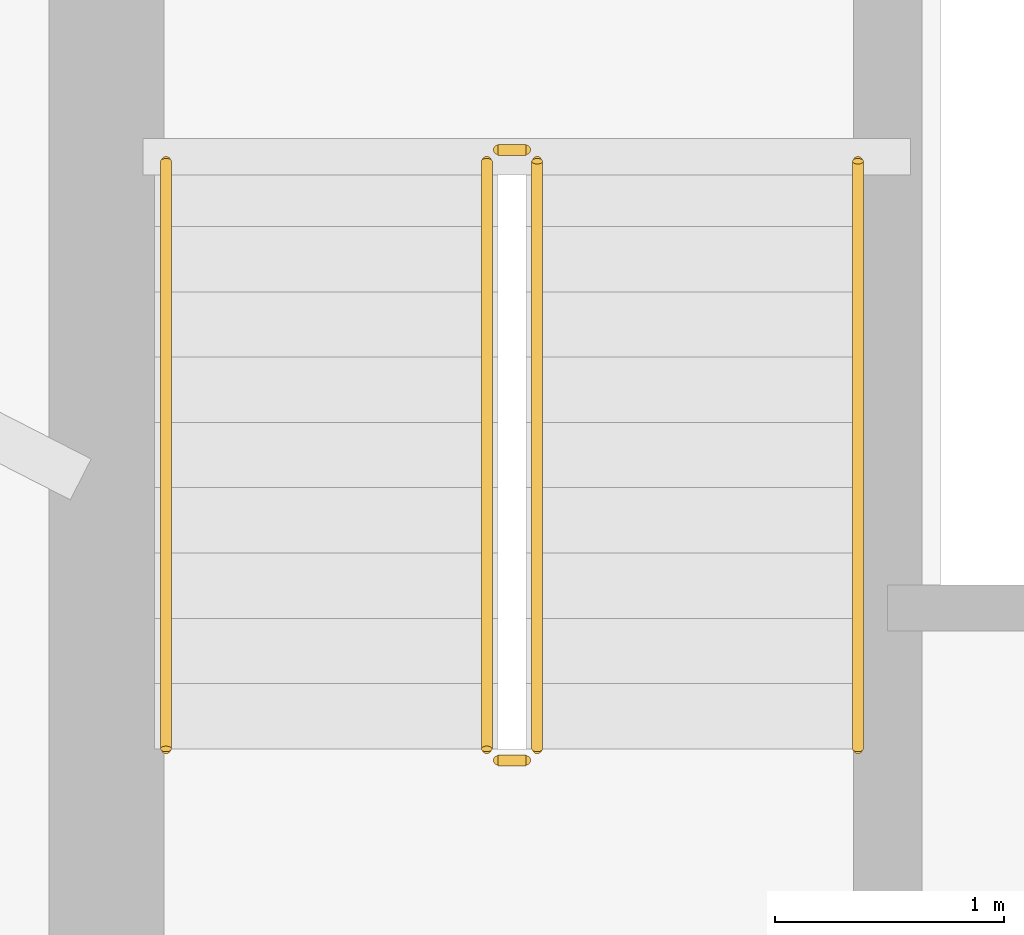
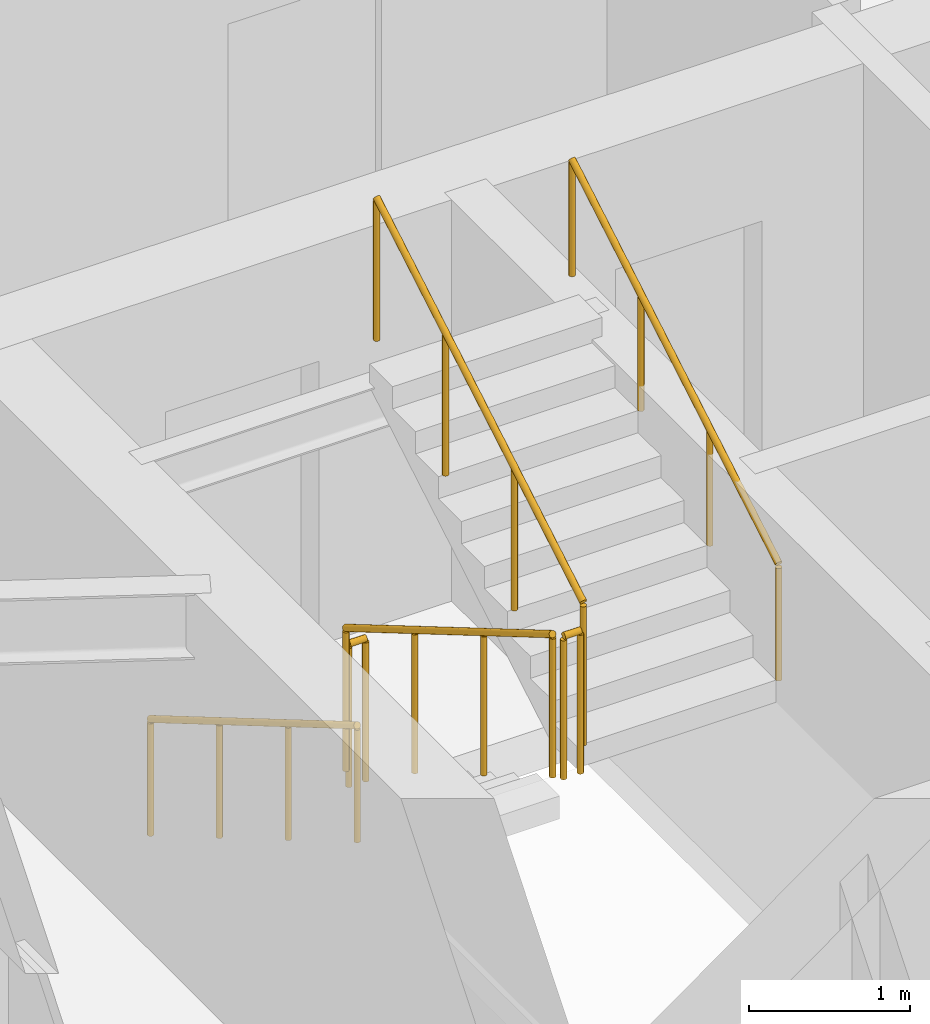
# One storey, part 17 of 18: 6 railings.
"""IFC4 building model written with IfcOpenShell, lengths in metres."""

from ifc_helpers import new_model, si_unit, direction, frame, origin, origin_2d, place, context, subcontext, project, spatial, circle, extrude, material, type_object, element, save


model = new_model("IFC4")

# Units and contexts
model_context = context("Model", 3, precision=1e-05, world=origin(), true_north=direction((0.0, 1.0)))
body_context = subcontext(model_context, "Body", "Model", "MODEL_VIEW")
ifc_project = project(units=[si_unit("LENGTHUNIT", "METRE"), si_unit("AREAUNIT", "SQUARE_METRE"), si_unit("VOLUMEUNIT", "CUBIC_METRE"), si_unit("PLANEANGLEUNIT", "RADIAN"), si_unit("MASSUNIT", "GRAM", prefix="KILO")], contexts=[model_context])

# Site, building, storey
site_placement = place(None, origin())
site = spatial("IfcSite", under=ifc_project, at=site_placement, CompositionType="ELEMENT")
building_placement = place(site_placement, origin())
building = spatial("IfcBuilding", under=site, at=building_placement, Name="Qobustan Lattice House", CompositionType="ELEMENT")
storey_placement = place(building_placement, frame((0.0, 0.0, 134.35009765625)))
storey = spatial("IfcBuildingStorey", under=building, at=storey_placement, Name="L37", CompositionType="ELEMENT", Elevation=134.35009765625)

# Railings
ifc_material_1 = material(Name="Brushed stainless steel handrail", Category="steel")
railing_type_1 = type_object("IfcRailingType", Name="RAL-HR-920", PredefinedType="HANDRAIL", material=ifc_material_1)
railing_1_placement = place(storey_placement, frame((-18.199951171875, 3.5, 0.16748046875)))
element("IfcRailing", 1, at=railing_1_placement, inside=storey, type_object=railing_type_1, Name="L37 ST-W1 stair handrail 1", PredefinedType="HANDRAIL", context=body_context, shape_type="SweptSolid", body=[
    extrude(circle(Radius=0.02392578125, at=origin_2d()), frame((0.0, 0.0, 0.8759765625), z_axis=(0.0, -0.862149314443, 0.506654280161), x_axis=(1.0, 0.0, 0.0)), (0.0, 0.0, 1.0), 2.97509765625),
    extrude(circle(Radius=0.02099609375, at=origin_2d()), origin(), (0.0, 0.0, 1.0), 0.851806640625),
    extrude(circle(Radius=0.02099609375, at=origin_2d()), frame((0.0, -0.85498046875, 0.50244140625)), (0.0, 0.0, 1.0), 0.851806640625),
    extrude(circle(Radius=0.02099609375, at=origin_2d()), frame((0.0, -1.7099609375, 1.0048828125)), (0.0, 0.0, 1.0), 0.851806640625),
    extrude(circle(Radius=0.02099609375, at=origin_2d()), frame((0.0, -2.56494140625, 1.50732421875)), (0.0, 0.0, 1.0), 0.851806640625),
])
railing_2_placement = place(storey_placement, frame((-15.179931640625, 0.93505859375, 1.84228515625)))
element("IfcRailing", 2, at=railing_2_placement, inside=storey, type_object=railing_type_1, Name="L37 ST-W1 stair handrail 2", PredefinedType="HANDRAIL", context=body_context, shape_type="SweptSolid", body=[
    extrude(circle(Radius=0.02392578125, at=origin_2d()), frame((0.0, 0.0, 0.8759765625), z_axis=(0.0, 0.862113467892, 0.50671527358), x_axis=(-1.0, 0.0, 0.0)), (0.0, 0.0, 1.0), 2.97509765625),
    extrude(circle(Radius=0.02099609375, at=origin_2d()), origin(), (0.0, 0.0, 1.0), 0.851806640625),
    extrude(circle(Radius=0.02099609375, at=origin_2d()), frame((0.0, 0.85498046875, 0.50244140625)), (0.0, 0.0, 1.0), 0.851806640625),
    extrude(circle(Radius=0.02099609375, at=origin_2d()), frame((0.0, 1.7099609375, 1.005126953125)), (0.0, 0.0, 1.0), 0.851806640625),
    extrude(circle(Radius=0.02099609375, at=origin_2d()), frame((0.0, 2.56494140625, 1.507568359375)), (0.0, 0.0, 1.0), 0.851806640625),
])
ifc_material_2 = material(Name="Painted galvanized steel guardrail", Category="steel")
railing_type_2 = type_object("IfcRailingType", Name="RAL-STG-1150", PredefinedType="GUARDRAIL", material=ifc_material_2)
railing_3_placement = place(storey_placement, frame((-16.800048828125, 3.5, 0.16748046875)))
element("IfcRailing", 3, at=railing_3_placement, inside=storey, type_object=railing_type_2, Name="L37 ST-W1 stair guard 1", PredefinedType="GUARDRAIL", context=body_context, shape_type="SweptSolid", body=[
    extrude(circle(Radius=0.02392578125, at=origin_2d()), frame((0.0, 0.0, 1.076171875), z_axis=(0.0, -0.862149314443, 0.506654280161), x_axis=(1.0, 0.0, 0.0)), (0.0, 0.0, 1.0), 2.97509765625),
    extrude(circle(Radius=0.02099609375, at=origin_2d()), origin(), (0.0, 0.0, 1.0), 1.052001953125),
    extrude(circle(Radius=0.02099609375, at=origin_2d()), frame((0.0, -0.85498046875, 0.50244140625)), (0.0, 0.0, 1.0), 1.052001953125),
    extrude(circle(Radius=0.02099609375, at=origin_2d()), frame((0.0, -1.7099609375, 1.0048828125)), (0.0, 0.0, 1.0), 1.052001953125),
    extrude(circle(Radius=0.02099609375, at=origin_2d()), frame((0.0, -2.56494140625, 1.50732421875)), (0.0, 0.0, 1.0), 1.052001953125),
])
railing_4_placement = place(storey_placement, frame((-16.75, 0.885009765625, 1.6748046875)))
element("IfcRailing", 4, at=railing_4_placement, inside=storey, type_object=railing_type_2, Name="L37 ST-W1 stair guard 2", PredefinedType="GUARDRAIL", context=body_context, shape_type="SweptSolid", body=[
    extrude(circle(Radius=0.02392578125, at=origin_2d()), frame((0.0, 0.0, 1.076171875), z_axis=(1.0, 0.0, 0.0), x_axis=(0.0, 1.0, 0.0)), (0.0, 0.0, 1.0), 0.1201171875),
    extrude(circle(Radius=0.02099609375, at=origin_2d()), origin(), (0.0, 0.0, 1.0), 1.052001953125),
    extrude(circle(Radius=0.02099609375, at=origin_2d()), frame((0.1201171875, 0.0, 0.0)), (0.0, 0.0, 1.0), 1.052001953125),
])
railing_5_placement = place(storey_placement, frame((-16.580078125, 0.93505859375, 1.84228515625)))
element("IfcRailing", 5, at=railing_5_placement, inside=storey, type_object=railing_type_2, Name="L37 ST-W1 stair guard 3", PredefinedType="GUARDRAIL", context=body_context, shape_type="SweptSolid", body=[
    extrude(circle(Radius=0.02392578125, at=origin_2d()), frame((0.0, 0.0, 1.076171875), z_axis=(0.0, 0.862113467892, 0.50671527358), x_axis=(-1.0, 0.0, 0.0)), (0.0, 0.0, 1.0), 2.97509765625),
    extrude(circle(Radius=0.02099609375, at=origin_2d()), origin(), (0.0, 0.0, 1.0), 1.052001953125),
    extrude(circle(Radius=0.02099609375, at=origin_2d()), frame((0.0, 0.85498046875, 0.50244140625)), (0.0, 0.0, 1.0), 1.052001953125),
    extrude(circle(Radius=0.02099609375, at=origin_2d()), frame((0.0, 1.7099609375, 1.005126953125)), (0.0, 0.0, 1.0), 1.052001953125),
    extrude(circle(Radius=0.02099609375, at=origin_2d()), frame((0.0, 2.56494140625, 1.507568359375)), (0.0, 0.0, 1.0), 1.052001953125),
])
railing_6_placement = place(storey_placement, frame((-16.75, 3.550048828125, 0.0)))
element("IfcRailing", 6, at=railing_6_placement, inside=storey, type_object=railing_type_2, Name="L37 ST-W1 stair guard 4", PredefinedType="GUARDRAIL", context=body_context, shape_type="SweptSolid", body=[
    extrude(circle(Radius=0.02392578125, at=origin_2d()), frame((0.0, 0.0, 1.076171875), z_axis=(1.0, 0.0, 0.0), x_axis=(0.0, 1.0, 0.0)), (0.0, 0.0, 1.0), 0.1201171875),
    extrude(circle(Radius=0.02099609375, at=origin_2d()), origin(), (0.0, 0.0, 1.0), 1.052001953125),
    extrude(circle(Radius=0.02099609375, at=origin_2d()), frame((0.1201171875, 0.0, 0.0)), (0.0, 0.0, 1.0), 1.052001953125),
])

save(model, "model.ifc")
